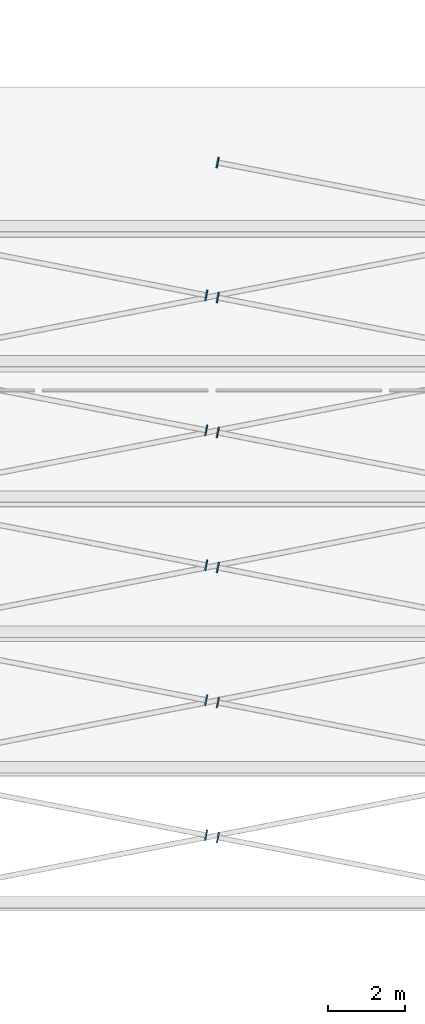
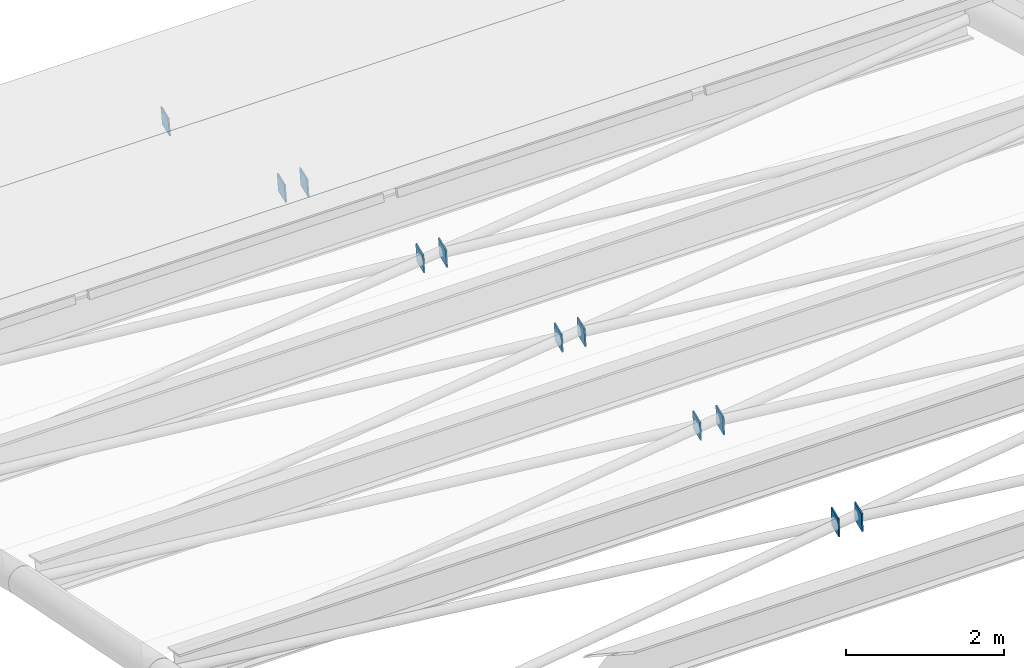
# One storey, part 61 of 69: 11 discrete accessories.
"""IFC4 building model written with IfcOpenShell, lengths in metres."""

import ifcopenshell
import ifcopenshell.guid

model = None  # the IFC model being written
_history = None  # IfcOwnerHistory: only IFC2X3 demands one
_inside = {}  # id of a spatial element -> (the spatial element, [elements in it])
_under = {}  # id of a project, library or spatial element -> (it, [spatial elements below it])
_declared = {}  # id of a project -> (the project, [libraries it declares])
_typed = {}  # id of a type object -> (the type object, [elements of that type])
_made_of = {}  # id of a material, layer set ... -> (it, [elements and type objects made of it])


def new_model(schema):
    """Start an empty IFC model of exactly this schema.

    Asked for "IFC4X3", IfcOpenShell would pick the latest addendum, in which some entities
    have other attributes; the version numbers below select the first issue.
    IFC2X3 requires an IfcOwnerHistory on every rooted entity: one is made here for all.
    """
    global model, _history
    if schema == "IFC4X3":
        model = ifcopenshell.file(schema_version=(4, 3, 0, 0))
    else:
        model = ifcopenshell.file(schema=schema)
    _inside.clear()
    _under.clear()
    _declared.clear()
    _typed.clear()
    _made_of.clear()
    _history = None
    if model.schema == "IFC2X3":
        org = make("IfcOrganization", Name="unknown")
        user = make(
            "IfcPersonAndOrganization",
            ThePerson=make("IfcPerson", FamilyName="unknown"),
            TheOrganization=org,
        )
        app = make(
            "IfcApplication",
            ApplicationDeveloper=org,
            Version="unknown",
            ApplicationFullName="unknown",
            ApplicationIdentifier="unknown",
        )
        _history = make(
            "IfcOwnerHistory",
            OwningUser=user,
            OwningApplication=app,
            ChangeAction="ADDED",
            CreationDate=0,
        )
    return model


def make(cls, **values):
    """One entity of the class cls with the attributes given. An attribute that is None is left unset."""
    return model.create_entity(
        cls, **{name: value for name, value in values.items() if value is not None}
    )


def rooted(cls, **values):
    """An entity with a GlobalId (a new one), such as an element, a storey or a relation."""
    return make(cls, GlobalId=ifcopenshell.guid.new(), OwnerHistory=_history, **values)


def si_unit(unit_type, name, prefix=None):
    """IfcSIUnit, for example si_unit("LENGTHUNIT", "METRE", prefix="MILLI")."""
    return make("IfcSIUnit", UnitType=unit_type, Prefix=prefix, Name=name)


def assignment(units):
    """IfcUnitAssignment: the units of a project."""
    return None if units is None else make("IfcUnitAssignment", Units=units)


def point(xyz):
    """IfcCartesianPoint."""
    return None if xyz is None else make("IfcCartesianPoint", Coordinates=xyz)


def direction(xyz):
    """IfcDirection."""
    return None if xyz is None else make("IfcDirection", DirectionRatios=xyz)


def frame(location, z_axis=None, x_axis=None):
    """IfcAxis2Placement3D, a coordinate frame: its origin and axes. An axis left out is left unset."""
    return make(
        "IfcAxis2Placement3D",
        Location=point(location),
        Axis=direction(z_axis),
        RefDirection=direction(x_axis),
    )


def frame_2d(location, x_axis=None):
    """IfcAxis2Placement2D, a coordinate frame in the plane: its origin and x axis."""
    return make(
        "IfcAxis2Placement2D", Location=point(location), RefDirection=direction(x_axis)
    )


def origin():
    """The frame at (0, 0, 0) with its axes left unset."""
    return frame((0.0, 0.0, 0.0))


def origin_2d():
    """The frame at (0, 0) in the plane with its x axis left unset."""
    return frame_2d((0.0, 0.0))


def place(relative_to, where):
    """IfcLocalPlacement: puts the frame where relative to a parent placement (None: the world)."""
    return make(
        "IfcLocalPlacement", PlacementRelTo=relative_to, RelativePlacement=where
    )


def context(
    kind, dimensions, precision=None, world=None, true_north=None, identifier=None
):
    """IfcGeometricRepresentationContext, for example the 3D "Model" context."""
    return make(
        "IfcGeometricRepresentationContext",
        ContextIdentifier=identifier,
        ContextType=kind,
        CoordinateSpaceDimension=dimensions,
        Precision=precision,
        WorldCoordinateSystem=world,
        TrueNorth=true_north,
    )


def subcontext(parent, identifier, kind, view, scale=None):
    """IfcGeometricRepresentationSubContext, for example "Body" below "Model"."""
    return make(
        "IfcGeometricRepresentationSubContext",
        ContextIdentifier=identifier,
        ContextType=kind,
        ParentContext=parent,
        TargetScale=scale,
        TargetView=view,
    )


def project(units=None, contexts=None):
    """IfcProject with its units and contexts."""
    return rooted(
        "IfcProject",
        Name="project",
        RepresentationContexts=contexts,
        UnitsInContext=assignment(units),
    )


def spatial(cls, under=None, at=None, **own):
    """A site, building, storey or space (cls), placed at a placement, below another one or the project."""
    s = rooted(cls, ObjectPlacement=at, **own)
    if under is not None:
        _under.setdefault(under.id(), (under, []))[1].append(s)
    return s


def profile(cls, at=None, kind="AREA", **sizes):
    """A parametric profile (cls). Its sizes go by their IFC names, for example OverallWidth=200.0."""
    return make(cls, ProfileType=kind, Position=at, **sizes)


def rectangle(**sizes):
    """IfcRectangleProfileDef."""
    return profile("IfcRectangleProfileDef", **sizes)


def extrude(swept, where, along, depth):
    """IfcExtrudedAreaSolid: the profile swept, set in the frame where, extruded along a direction by depth."""
    return make(
        "IfcExtrudedAreaSolid",
        SweptArea=swept,
        Position=where,
        ExtrudedDirection=direction(along),
        Depth=depth,
    )


def shape(context_of_items, identifier, shape_type, items):
    """IfcShapeRepresentation: the items that make up one representation, for example the "Body"."""
    return make(
        "IfcShapeRepresentation",
        ContextOfItems=context_of_items,
        RepresentationIdentifier=identifier,
        RepresentationType=shape_type,
        Items=items,
    )


def material(Name=None, Category=None):
    """IfcMaterial."""
    return make("IfcMaterial", Name=Name, Category=Category)


def layer(
    of_material, thickness, ventilated=None, Name=None, Category=None, Priority=None
):
    """IfcMaterialLayer: one layer of a wall or slab, of a material (None: an air gap)."""
    return make(
        "IfcMaterialLayer",
        Material=of_material,
        LayerThickness=thickness,
        IsVentilated=ventilated,
        Name=Name,
        Category=Category,
        Priority=Priority,
    )


def layer_set(layers, Name=None):
    """IfcMaterialLayerSet."""
    return make("IfcMaterialLayerSet", MaterialLayers=layers, LayerSetName=Name)


def made_of(thing, what):
    """Note that an element or type object is made of a material, layer set ...; save() writes the relation."""
    if what is not None:
        _made_of.setdefault(what.id(), (what, []))[1].append(thing)
    return thing


def type_object(cls, material=None, **own):
    """A type object (cls), such as IfcWallType, which elements share."""
    return made_of(rooted(cls, **own), material)


def element(
    cls,
    number,
    at=None,
    inside=None,
    cuts=None,
    type_object=None,
    material=None,
    context=None,
    identifier="Body",
    shape_type=None,
    held_by="IfcProductDefinitionShape",
    body=None,
    shapes=None,
    **own,
):
    """One element of the class cls, such as IfcWall. Its Tag is "e" and its number.

    at: its placement. inside: the storey or other place that contains it. cuts: it is an
    opening in that element (IfcRelVoidsElement). A single representation is given by context,
    identifier, shape_type and body (its items); several are given by shapes. held_by: the class
    of the entity that holds the representations. save() writes the other relations.
    """
    e = rooted(cls, Tag="e%d" % number, ObjectPlacement=at, **own)
    if body is not None:
        shapes = [shape(context, identifier, shape_type, body)]
    if shapes is not None:
        e.Representation = make(held_by, Representations=shapes)
    if inside is not None:
        _inside.setdefault(inside.id(), (inside, []))[1].append(e)
    if cuts is not None:
        rooted(
            "IfcRelVoidsElement", RelatingBuildingElement=cuts, RelatedOpeningElement=e
        )
    if type_object is not None:
        _typed.setdefault(type_object.id(), (type_object, []))[1].append(e)
    return made_of(e, material)


def aggregate(whole, parts):
    """IfcRelAggregates: a whole, such as a stair, and the parts it consists of."""
    return rooted("IfcRelAggregates", RelatingObject=whole, RelatedObjects=parts)


def save(model, path):
    """Write the relations noted so far, then the file.

    IfcRelAggregates (storeys below a building ...), IfcRelContainedInSpatialStructure (elements
    in a storey), IfcRelDefinesByType, IfcRelAssociatesMaterial and IfcRelDeclares: one each for
    every whole, place, type object, material and project.
    """
    for whole, parts in _under.values():
        aggregate(whole, parts)
    for where, things in _inside.values():
        rooted(
            "IfcRelContainedInSpatialStructure",
            RelatedElements=things,
            RelatingStructure=where,
        )
    for kind, things in _typed.values():
        rooted("IfcRelDefinesByType", RelatedObjects=things, RelatingType=kind)
    for what, things in _made_of.values():
        rooted("IfcRelAssociatesMaterial", RelatedObjects=things, RelatingMaterial=what)
    for by, libraries in _declared.values():
        rooted("IfcRelDeclares", RelatingContext=by, RelatedDefinitions=libraries)
    model.write(path)


model = new_model("IFC4")

# Units and contexts
model_context = context("Model", 3, precision=1e-05, world=origin(), true_north=direction((0.0, 1.0)))
body_context = subcontext(model_context, "Body", "Model", "MODEL_VIEW")
ifc_project = project(units=[si_unit("LENGTHUNIT", "METRE"), si_unit("AREAUNIT", "SQUARE_METRE"), si_unit("VOLUMEUNIT", "CUBIC_METRE"), si_unit("PLANEANGLEUNIT", "RADIAN"), si_unit("MASSUNIT", "GRAM", prefix="KILO")], contexts=[model_context])

# Site, building, storey
site_placement = place(None, origin())
site = spatial("IfcSite", under=ifc_project, at=site_placement, CompositionType="ELEMENT")
building_placement = place(site_placement, origin())
building = spatial("IfcBuilding", under=site, at=building_placement, Name="Okhra Congress Centre", CompositionType="ELEMENT")
storey_placement = place(building_placement, frame((0.0, 0.0, 16.800048828125)))
storey = spatial("IfcBuildingStorey", under=building, at=storey_placement, Name="L03", CompositionType="ELEMENT", Elevation=16.800048828125)

# Discrete accessories
ifc_material = material(Name="Steel S355J2", Category="steel")
ifc_layer = layer(ifc_material, 0.02001953125)
ifc_layer_set = layer_set([ifc_layer], Name="Brace end connection plate 20 mm S355")
discrete_accessory_type = type_object("IfcDiscreteAccessoryType", Name="Brace end connection plate 20 mm S355", PredefinedType="BRACKET", material=ifc_layer_set)
for number, where, z_axis, x_axis, name in (
    (1, (37.1630859375, 189.71826171875, 4.721923828125), (-0.980756046085, 0.19372958935, -0.024216198669), (-0.193786418213, -0.981043742203, 0.0), "Brace end connection plate"),
    (2, (36.8369140625, 189.78173828125, 4.711669921875), (0.980396781614, -0.193658623529, 0.036310991912), (0.193786418213, 0.981043742203, 0.0), "Brace end connection plate"),
):
    element("IfcDiscreteAccessory", number, at=place(storey_placement, frame(where, z_axis=z_axis, x_axis=x_axis)), inside=storey, type_object=discrete_accessory_type, Name=name, PredefinedType="BRACKET", context=body_context, shape_type="SweptSolid", body=[
        extrude(rectangle(XDim=0.279052734375, YDim=0.279052734375, at=origin_2d()), origin(), (0.0, 0.0, 1.0), 0.020263671875),
    ])
for number, where, z_axis, x_axis, name in (
    (3, (37.161865234375, 193.218505859375, 4.091064453125), (-0.979918394569, 0.195983678914, -0.036746939796), (-0.196116135138, -0.980580675691, 0.0), "Brace end connection plate"),
    (4, (36.838134765625, 193.281494140625, 4.078369140625), (0.979918394569, -0.195983678914, 0.036746939796), (0.196116135138, 0.980580675691, 0.0), "Brace end connection plate"),
):
    element("IfcDiscreteAccessory", number, at=place(storey_placement, frame(where, z_axis=z_axis, x_axis=x_axis)), inside=storey, type_object=discrete_accessory_type, Name=name, PredefinedType="BRACKET", context=body_context, shape_type="SweptSolid", body=[
        extrude(rectangle(XDim=0.279052734375, YDim=0.279052734375, at=origin_2d()), origin(), (0.0, 0.0, 1.0), 0.02001953125),
    ])
for number, where, z_axis, x_axis, name in (
    (5, (37.16064453125, 196.71875, 3.328125), (-0.979894473989, 0.19355940227, -0.048389850567), (-0.193786418213, -0.981043742203, 0.0), "Brace end connection plate"),
    (6, (36.83935546875, 196.78125, 3.313232421875), (0.979894473989, -0.19355940227, 0.048389850567), (0.193786418213, 0.981043742203, 0.0), "Brace end connection plate"),
):
    element("IfcDiscreteAccessory", number, at=place(storey_placement, frame(where, z_axis=z_axis, x_axis=x_axis)), inside=storey, type_object=discrete_accessory_type, Name=name, PredefinedType="BRACKET", context=body_context, shape_type="SweptSolid", body=[
        extrude(rectangle(XDim=0.279052734375, YDim=0.279052734375, at=origin_2d()), origin(), (0.0, 0.0, 1.0), 0.020263671875),
    ])
for number, where, z_axis, x_axis, name in (
    (7, (37.158935546875, 200.218994140625, 2.43017578125), (-0.978744311902, 0.19574886238, -0.061171519494), (-0.196116135138, -0.980580675691, 0.0), "Brace end connection plate"),
    (8, (36.841064453125, 200.281005859375, 2.4130859375), (0.979404213749, -0.19588084275, 0.048970210687), (0.196116135138, 0.980580675691, 0.0), "Brace end connection plate"),
):
    element("IfcDiscreteAccessory", number, at=place(storey_placement, frame(where, z_axis=z_axis, x_axis=x_axis)), inside=storey, type_object=discrete_accessory_type, Name=name, PredefinedType="BRACKET", context=body_context, shape_type="SweptSolid", body=[
        extrude(rectangle(XDim=0.279052734375, YDim=0.279052734375, at=origin_2d()), origin(), (0.0, 0.0, 1.0), 0.02001953125),
    ])
for number, where, z_axis, x_axis, name in (
    (9, (37.1572265625, 203.719482421875, 1.39306640625), (-0.981475761487, 0.181754770646, -0.060584923549), (-0.182089260182, -0.983282004984, 0.0), "Brace end connection plate"),
    (10, (36.8427734375, 203.780517578125, 1.373779296875), (0.981475761487, -0.181754770646, 0.060584923549), (0.182089260182, 0.983282004984, 0.0), "Brace end connection plate"),
):
    element("IfcDiscreteAccessory", number, at=place(storey_placement, frame(where, z_axis=z_axis, x_axis=x_axis)), inside=storey, type_object=discrete_accessory_type, Name=name, PredefinedType="BRACKET", context=body_context, shape_type="SweptSolid", body=[
        extrude(rectangle(XDim=0.279052734375, YDim=0.279052734375, at=origin_2d()), origin(), (0.0, 0.0, 1.0), 0.020263671875),
    ])
discrete_accessory_placement = place(storey_placement, frame((37.155029296875, 207.219970703125, 0.21240234375), z_axis=(-0.980212576021, 0.183789858004, -0.073515943202), x_axis=(-0.18428853505, -0.982872186934, 0.0)))
element("IfcDiscreteAccessory", 11, at=discrete_accessory_placement, inside=storey, type_object=discrete_accessory_type, Name="Brace end connection plate", PredefinedType="BRACKET", context=body_context, shape_type="SweptSolid", body=[
    extrude(rectangle(XDim=0.279052734375, YDim=0.279052734375, at=origin_2d()), origin(), (0.0, 0.0, 1.0), 0.02001953125),
])

save(model, "model.ifc")
